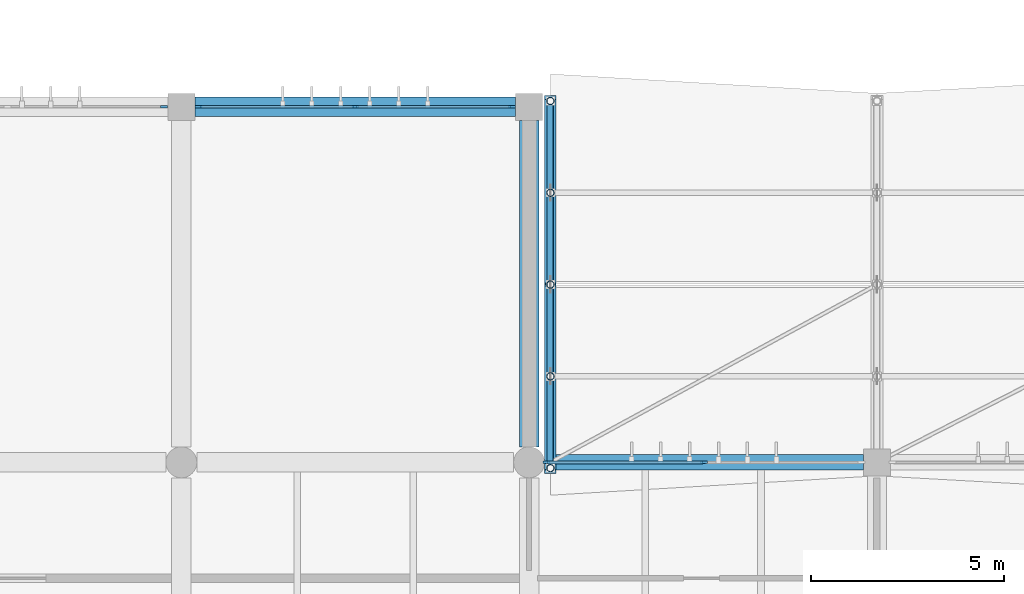
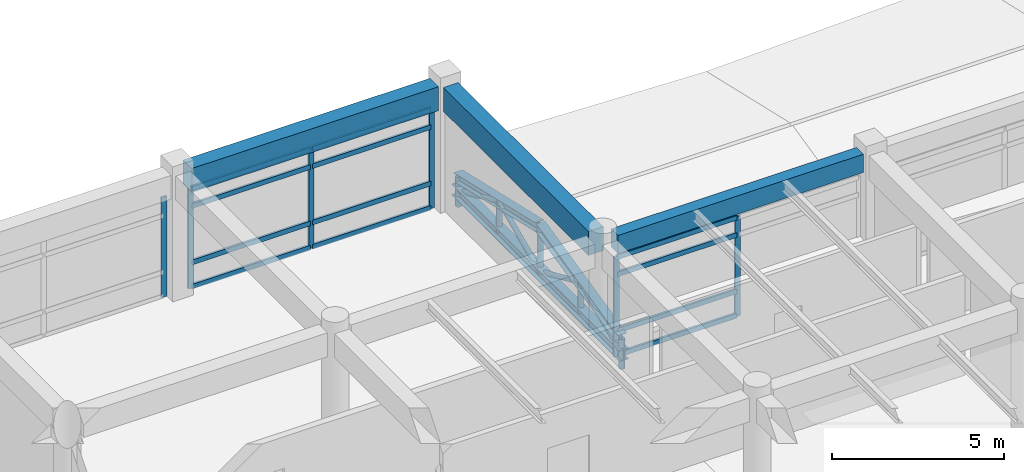
# One storey, part 16 of 90: 29 members, 4 beams, 3 elements without a shape of their own.
"""IFC4 building model written with IfcOpenShell, lengths in metres."""

import ifcopenshell
import ifcopenshell.guid

model = None  # the IFC model being written
_history = None  # IfcOwnerHistory: only IFC2X3 demands one
_inside = {}  # id of a spatial element -> (the spatial element, [elements in it])
_under = {}  # id of a project, library or spatial element -> (it, [spatial elements below it])
_declared = {}  # id of a project -> (the project, [libraries it declares])
_typed = {}  # id of a type object -> (the type object, [elements of that type])
_made_of = {}  # id of a material, layer set ... -> (it, [elements and type objects made of it])


def new_model(schema):
    """Start an empty IFC model of exactly this schema.

    Asked for "IFC4X3", IfcOpenShell would pick the latest addendum, in which some entities
    have other attributes; the version numbers below select the first issue.
    IFC2X3 requires an IfcOwnerHistory on every rooted entity: one is made here for all.
    """
    global model, _history
    if schema == "IFC4X3":
        model = ifcopenshell.file(schema_version=(4, 3, 0, 0))
    else:
        model = ifcopenshell.file(schema=schema)
    _inside.clear()
    _under.clear()
    _declared.clear()
    _typed.clear()
    _made_of.clear()
    _history = None
    if model.schema == "IFC2X3":
        org = make("IfcOrganization", Name="unknown")
        user = make(
            "IfcPersonAndOrganization",
            ThePerson=make("IfcPerson", FamilyName="unknown"),
            TheOrganization=org,
        )
        app = make(
            "IfcApplication",
            ApplicationDeveloper=org,
            Version="unknown",
            ApplicationFullName="unknown",
            ApplicationIdentifier="unknown",
        )
        _history = make(
            "IfcOwnerHistory",
            OwningUser=user,
            OwningApplication=app,
            ChangeAction="ADDED",
            CreationDate=0,
        )
    return model


def make(cls, **values):
    """One entity of the class cls with the attributes given. An attribute that is None is left unset."""
    return model.create_entity(
        cls, **{name: value for name, value in values.items() if value is not None}
    )


def rooted(cls, **values):
    """An entity with a GlobalId (a new one), such as an element, a storey or a relation."""
    return make(cls, GlobalId=ifcopenshell.guid.new(), OwnerHistory=_history, **values)


def si_unit(unit_type, name, prefix=None):
    """IfcSIUnit, for example si_unit("LENGTHUNIT", "METRE", prefix="MILLI")."""
    return make("IfcSIUnit", UnitType=unit_type, Prefix=prefix, Name=name)


def assignment(units):
    """IfcUnitAssignment: the units of a project."""
    return None if units is None else make("IfcUnitAssignment", Units=units)


def point(xyz):
    """IfcCartesianPoint."""
    return None if xyz is None else make("IfcCartesianPoint", Coordinates=xyz)


def direction(xyz):
    """IfcDirection."""
    return None if xyz is None else make("IfcDirection", DirectionRatios=xyz)


def frame(location, z_axis=None, x_axis=None):
    """IfcAxis2Placement3D, a coordinate frame: its origin and axes. An axis left out is left unset."""
    return make(
        "IfcAxis2Placement3D",
        Location=point(location),
        Axis=direction(z_axis),
        RefDirection=direction(x_axis),
    )


def frame_2d(location, x_axis=None):
    """IfcAxis2Placement2D, a coordinate frame in the plane: its origin and x axis."""
    return make(
        "IfcAxis2Placement2D", Location=point(location), RefDirection=direction(x_axis)
    )


def origin():
    """The frame at (0, 0, 0) with its axes left unset."""
    return frame((0.0, 0.0, 0.0))


def origin_2d():
    """The frame at (0, 0) in the plane with its x axis left unset."""
    return frame_2d((0.0, 0.0))


def place(relative_to, where):
    """IfcLocalPlacement: puts the frame where relative to a parent placement (None: the world)."""
    return make(
        "IfcLocalPlacement", PlacementRelTo=relative_to, RelativePlacement=where
    )


def context(
    kind, dimensions, precision=None, world=None, true_north=None, identifier=None
):
    """IfcGeometricRepresentationContext, for example the 3D "Model" context."""
    return make(
        "IfcGeometricRepresentationContext",
        ContextIdentifier=identifier,
        ContextType=kind,
        CoordinateSpaceDimension=dimensions,
        Precision=precision,
        WorldCoordinateSystem=world,
        TrueNorth=true_north,
    )


def subcontext(parent, identifier, kind, view, scale=None):
    """IfcGeometricRepresentationSubContext, for example "Body" below "Model"."""
    return make(
        "IfcGeometricRepresentationSubContext",
        ContextIdentifier=identifier,
        ContextType=kind,
        ParentContext=parent,
        TargetScale=scale,
        TargetView=view,
    )


def project(units=None, contexts=None):
    """IfcProject with its units and contexts."""
    return rooted(
        "IfcProject",
        Name="project",
        RepresentationContexts=contexts,
        UnitsInContext=assignment(units),
    )


def spatial(cls, under=None, at=None, **own):
    """A site, building, storey or space (cls), placed at a placement, below another one or the project."""
    s = rooted(cls, ObjectPlacement=at, **own)
    if under is not None:
        _under.setdefault(under.id(), (under, []))[1].append(s)
    return s


def profile(cls, at=None, kind="AREA", **sizes):
    """A parametric profile (cls). Its sizes go by their IFC names, for example OverallWidth=200.0."""
    return make(cls, ProfileType=kind, Position=at, **sizes)


def rectangle(**sizes):
    """IfcRectangleProfileDef."""
    return profile("IfcRectangleProfileDef", **sizes)


def hollow_circle(**sizes):
    """IfcCircleHollowProfileDef."""
    return profile("IfcCircleHollowProfileDef", **sizes)


def i_section(**sizes):
    """IfcIShapeProfileDef."""
    return profile("IfcIShapeProfileDef", **sizes)


def extrude(swept, where, along, depth):
    """IfcExtrudedAreaSolid: the profile swept, set in the frame where, extruded along a direction by depth."""
    return make(
        "IfcExtrudedAreaSolid",
        SweptArea=swept,
        Position=where,
        ExtrudedDirection=direction(along),
        Depth=depth,
    )


def shape(context_of_items, identifier, shape_type, items):
    """IfcShapeRepresentation: the items that make up one representation, for example the "Body"."""
    return make(
        "IfcShapeRepresentation",
        ContextOfItems=context_of_items,
        RepresentationIdentifier=identifier,
        RepresentationType=shape_type,
        Items=items,
    )


def material(Name=None, Category=None):
    """IfcMaterial."""
    return make("IfcMaterial", Name=Name, Category=Category)


def material_profile(
    of_material, cross_section, Name=None, Category=None, Priority=None
):
    """IfcMaterialProfile: a cross section and its material."""
    return make(
        "IfcMaterialProfile",
        Name=Name,
        Material=of_material,
        Profile=cross_section,
        Priority=Priority,
        Category=Category,
    )


def profile_set(profiles, Name=None, composite=None):
    """IfcMaterialProfileSet."""
    return make(
        "IfcMaterialProfileSet",
        Name=Name,
        MaterialProfiles=profiles,
        CompositeProfile=composite,
    )


def made_of(thing, what):
    """Note that an element or type object is made of a material, layer set ...; save() writes the relation."""
    if what is not None:
        _made_of.setdefault(what.id(), (what, []))[1].append(thing)
    return thing


def type_object(cls, material=None, **own):
    """A type object (cls), such as IfcWallType, which elements share."""
    return made_of(rooted(cls, **own), material)


def element(
    cls,
    number,
    at=None,
    inside=None,
    cuts=None,
    type_object=None,
    material=None,
    context=None,
    identifier="Body",
    shape_type=None,
    held_by="IfcProductDefinitionShape",
    body=None,
    shapes=None,
    **own,
):
    """One element of the class cls, such as IfcWall. Its Tag is "e" and its number.

    at: its placement. inside: the storey or other place that contains it. cuts: it is an
    opening in that element (IfcRelVoidsElement). A single representation is given by context,
    identifier, shape_type and body (its items); several are given by shapes. held_by: the class
    of the entity that holds the representations. save() writes the other relations.
    """
    e = rooted(cls, Tag="e%d" % number, ObjectPlacement=at, **own)
    if body is not None:
        shapes = [shape(context, identifier, shape_type, body)]
    if shapes is not None:
        e.Representation = make(held_by, Representations=shapes)
    if inside is not None:
        _inside.setdefault(inside.id(), (inside, []))[1].append(e)
    if cuts is not None:
        rooted(
            "IfcRelVoidsElement", RelatingBuildingElement=cuts, RelatedOpeningElement=e
        )
    if type_object is not None:
        _typed.setdefault(type_object.id(), (type_object, []))[1].append(e)
    return made_of(e, material)


def aggregate(whole, parts):
    """IfcRelAggregates: a whole, such as a stair, and the parts it consists of."""
    return rooted("IfcRelAggregates", RelatingObject=whole, RelatedObjects=parts)


def save(model, path):
    """Write the relations noted so far, then the file.

    IfcRelAggregates (storeys below a building ...), IfcRelContainedInSpatialStructure (elements
    in a storey), IfcRelDefinesByType, IfcRelAssociatesMaterial and IfcRelDeclares: one each for
    every whole, place, type object, material and project.
    """
    for whole, parts in _under.values():
        aggregate(whole, parts)
    for where, things in _inside.values():
        rooted(
            "IfcRelContainedInSpatialStructure",
            RelatedElements=things,
            RelatingStructure=where,
        )
    for kind, things in _typed.values():
        rooted("IfcRelDefinesByType", RelatedObjects=things, RelatingType=kind)
    for what, things in _made_of.values():
        rooted("IfcRelAssociatesMaterial", RelatedObjects=things, RelatingMaterial=what)
    for by, libraries in _declared.values():
        rooted("IfcRelDeclares", RelatingContext=by, RelatedDefinitions=libraries)
    model.write(path)


model = new_model("IFC4")

# Units and contexts
model_context = context("Model", 3, precision=1e-05, world=origin(), true_north=direction((0.0, 1.0)))
body_context = subcontext(model_context, "Body", "Model", "MODEL_VIEW")
ifc_project = project(units=[si_unit("LENGTHUNIT", "METRE"), si_unit("AREAUNIT", "SQUARE_METRE"), si_unit("VOLUMEUNIT", "CUBIC_METRE"), si_unit("PLANEANGLEUNIT", "RADIAN"), si_unit("MASSUNIT", "GRAM", prefix="KILO")], contexts=[model_context])

# Site, building, storey
site_placement = place(None, origin())
site = spatial("IfcSite", under=ifc_project, at=site_placement, CompositionType="ELEMENT")
building_placement = place(site_placement, origin())
building = spatial("IfcBuilding", under=site, at=building_placement, Name="Bozkorgan Art Gallery", CompositionType="ELEMENT")
storey_placement = place(building_placement, frame((0.0, 0.0, 5.39990234375)))
storey = spatial("IfcBuildingStorey", under=building, at=storey_placement, Name="L01", CompositionType="ELEMENT", Elevation=5.39990234375)

# Beams
ifc_material_1 = material(Name="Concrete C35/45", Category="concrete")
ifc_material_profile_1 = material_profile(ifc_material_1, rectangle(XDim=0.5, YDim=0.85009765625, at=origin_2d()), Name="RC 500x850")
ifc_profile_set_1 = profile_set([ifc_material_profile_1], Name="Concrete C35/45")
beam_type_1 = type_object("IfcBeamType", Name="BEAM-BM-01", PredefinedType="BEAM", material=ifc_profile_set_1)
beam_1_placement = place(storey_placement, frame((20.35009765625, 29.199951171875, 4.01513671875), z_axis=(1.0, 0.0, 0.0), x_axis=(0.0, 1.0, 0.0)))
element("IfcBeam", 1, at=beam_1_placement, inside=storey, type_object=beam_type_1, Name="V1 L01 beam X (20-29, 29.2)", PredefinedType="BEAM", context=body_context, shape_type="SweptSolid", body=[
    extrude(rectangle(XDim=0.5, YDim=0.85009765625, at=origin_2d()), origin(), (0.0, 0.0, 1.0), 8.2998046875),
])
beam_2_placement = place(storey_placement, frame((29.0, 20.39990234375, 4.01513671875), z_axis=(0.0, 1.0, 0.0), x_axis=(-1.0, 0.0, 0.0)))
element("IfcBeam", 2, at=beam_2_placement, inside=storey, type_object=beam_type_1, Name="V1 L01 beam Y (29, 20.0-29.2)", PredefinedType="BEAM", context=body_context, shape_type="SweptSolid", body=[
    extrude(rectangle(XDim=0.5, YDim=0.85009765625, at=origin_2d()), origin(), (0.0, 0.0, 1.0), 8.4501953125),
])
ifc_material_profile_2 = material_profile(ifc_material_1, rectangle(XDim=0.39990234375, YDim=0.64990234375, at=origin_2d()), Name="RC 400x650")
ifc_profile_set_2 = profile_set([ifc_material_profile_2], Name="Concrete C35/45")
beam_type_2 = type_object("IfcBeamType", Name="BEAM-SP-69", PredefinedType="SPANDREL", material=ifc_profile_set_2)
beam_3_placement = place(storey_placement, frame((29.39990234375, 20.0, 4.114990234375), z_axis=(1.0, 0.0, 0.0), x_axis=(0.0, 1.0, 0.0)))
element("IfcBeam", 3, at=beam_3_placement, inside=storey, type_object=beam_type_2, Name="V1 L01 spandrel X (29-38, 20.0)", PredefinedType="SPANDREL", context=body_context, shape_type="SweptSolid", body=[
    extrude(rectangle(XDim=0.39990234375, YDim=0.64990234375, at=origin_2d()), origin(), (0.0, 0.0, 1.0), 8.25),
])
ifc_material_2 = material(Name="Steel S355J2", Category="steel")
ifc_material_profile_3 = material_profile(ifc_material_2, i_section(OverallWidth=0.300048828125, OverallDepth=0.39990234375, WebThickness=0.013427734375, FlangeThickness=0.02392578125, FilletRadius=0.027099609375, at=origin_2d()), Name="HEB 400")
ifc_profile_set_3 = profile_set([ifc_material_profile_3], Name="Steel S355J2")
beam_type_3 = type_object("IfcBeamType", Name="BEAM-TB-49", PredefinedType="BEAM", material=ifc_profile_set_3)
beam_4_placement = place(storey_placement, frame((29.550048828125, 19.7099609375, 0.2001953125), z_axis=(0.0, 1.0, 0.0), x_axis=(-1.0, 0.0, 0.0)))
element("IfcBeam", 4, at=beam_4_placement, inside=storey, type_object=beam_type_3, Name="ROOF-V1-STEP1 roof truss 1 bottom chord", PredefinedType="BEAM", context=body_context, shape_type="SweptSolid", body=[
    extrude(i_section(OverallWidth=0.300048828125, OverallDepth=0.39990234375, WebThickness=0.013427734375, FlangeThickness=0.02392578125, FilletRadius=0.027099609375, at=origin_2d()), origin(), (0.0, 0.0, 1.0), 9.780029296875),
])

# Curtain wall, members
ifc_material_3 = material(Name="Anodised Bronze Aluminium", Category="aluminium")
curtain_wall_type_1 = type_object("IfcCurtainWallType", Name="CW-CW-40", PredefinedType="NOTDEFINED", material=ifc_material_3)
curtain_wall_1_placement = place(storey_placement, origin())
curtain_wall_1 = element("IfcCurtainWall", 5, at=curtain_wall_1_placement, inside=storey, type_object=curtain_wall_type_1, Name="L01 unitised curtain wall CW-V1-L01-1N-05", PredefinedType="NOTDEFINED")
ifc_material_profile_4 = material_profile(ifc_material_3, rectangle(XDim=0.06494140625, YDim=0.179931640625, at=origin_2d()), Name="ALU MULLION 65x180")
ifc_profile_set_4 = profile_set([ifc_material_profile_4], Name="Anodised Bronze Aluminium")
member_type_1 = type_object("IfcMemberType", Name="CWM-01", PredefinedType="MULLION", material=ifc_profile_set_4)
member_1_placement = place(storey_placement, frame((29.447509765625, 20.0, 0.02001953125), z_axis=(0.0, 0.0, 1.0), x_axis=(0.0, 1.0, 0.0)))
member_1 = element("IfcMember", 6, at=member_1_placement, type_object=member_type_1, Name="CW-40 mullion 1", PredefinedType="MULLION", context=body_context, shape_type="SweptSolid", body=[
    extrude(rectangle(XDim=0.06494140625, YDim=0.179931640625, at=origin_2d()), origin(), (0.0, 0.0, 1.0), 3.55517578125),
])
member_2_placement = place(storey_placement, frame((33.52490234375, 20.0, 0.02001953125), z_axis=(0.0, 0.0, 1.0), x_axis=(0.0, 1.0, 0.0)))
member_2 = element("IfcMember", 7, at=member_2_placement, type_object=member_type_1, Name="CW-40 mullion 2", PredefinedType="MULLION", context=body_context, shape_type="SweptSolid", body=[
    extrude(rectangle(XDim=0.06494140625, YDim=0.179931640625, at=origin_2d()), origin(), (0.0, 0.0, 1.0), 3.55517578125),
])

# Curtain wall, member
curtain_wall_type_2 = type_object("IfcCurtainWallType", Name="CW-CW-94", PredefinedType="NOTDEFINED", material=ifc_material_3)
curtain_wall_2_placement = place(storey_placement, origin())
curtain_wall_2 = element("IfcCurtainWall", 8, at=curtain_wall_2_placement, inside=storey, type_object=curtain_wall_type_2, Name="L01 unitised curtain wall CW-V1-L01-2N-02", PredefinedType="NOTDEFINED")
member_3_placement = place(storey_placement, frame((19.552490234375, 29.199951171875, 0.02001953125), z_axis=(0.0, 0.0, 1.0), x_axis=(0.0, 1.0, 0.0)))
member_3 = element("IfcMember", 9, at=member_3_placement, type_object=member_type_1, Name="CW-94 mullion 3", PredefinedType="MULLION", context=body_context, shape_type="SweptSolid", body=[
    extrude(rectangle(XDim=0.06494140625, YDim=0.179931640625, at=origin_2d()), origin(), (0.0, 0.0, 1.0), 3.55517578125),
])
aggregate(curtain_wall_2, [member_3])

# Curtain wall, members
curtain_wall_3_placement = place(storey_placement, origin())
curtain_wall_3 = element("IfcCurtainWall", 10, at=curtain_wall_3_placement, inside=storey, type_object=curtain_wall_type_2, Name="L01 unitised curtain wall CW-V1-L01-2N-03", PredefinedType="NOTDEFINED")
member_4_placement = place(storey_placement, frame((20.447509765625, 29.199951171875, 0.02001953125), z_axis=(0.0, 0.0, 1.0), x_axis=(0.0, 1.0, 0.0)))
member_4 = element("IfcMember", 11, at=member_4_placement, type_object=member_type_1, Name="CW-94 mullion 1", PredefinedType="MULLION", context=body_context, shape_type="SweptSolid", body=[
    extrude(rectangle(XDim=0.06494140625, YDim=0.179931640625, at=origin_2d()), origin(), (0.0, 0.0, 1.0), 3.55517578125),
])
member_5_placement = place(storey_placement, frame((24.5, 29.199951171875, 0.02001953125), z_axis=(0.0, 0.0, 1.0), x_axis=(0.0, 1.0, 0.0)))
member_5 = element("IfcMember", 12, at=member_5_placement, type_object=member_type_1, Name="CW-94 mullion 2", PredefinedType="MULLION", context=body_context, shape_type="SweptSolid", body=[
    extrude(rectangle(XDim=0.06494140625, YDim=0.179931640625, at=origin_2d()), origin(), (0.0, 0.0, 1.0), 3.55517578125),
])
member_6_placement = place(storey_placement, frame((28.552490234375, 29.199951171875, 0.02001953125), z_axis=(0.0, 0.0, 1.0), x_axis=(0.0, 1.0, 0.0)))
member_6 = element("IfcMember", 13, at=member_6_placement, type_object=member_type_1, Name="CW-94 mullion 3", PredefinedType="MULLION", context=body_context, shape_type="SweptSolid", body=[
    extrude(rectangle(XDim=0.06494140625, YDim=0.179931640625, at=origin_2d()), origin(), (0.0, 0.0, 1.0), 3.55517578125),
])

# Member
ifc_material_profile_5 = material_profile(ifc_material_3, rectangle(XDim=0.074951171875, YDim=0.169921875, at=origin_2d()), Name="ALU TRANSOM 75x170")
ifc_profile_set_5 = profile_set([ifc_material_profile_5], Name="Anodised Bronze Aluminium")
member_type_2 = type_object("IfcMemberType", Name="CWT-02", PredefinedType="USERDEFINED", material=ifc_profile_set_5)
member_7_placement = place(storey_placement, frame((29.47998046875, 20.0, 0.0576171875), z_axis=(1.0, 0.0, 0.0), x_axis=(0.0, 1.0, 0.0)))
member_7 = element("IfcMember", 14, at=member_7_placement, type_object=member_type_2, Name="CW-40 transom 1.1", ObjectType="TRANSOM", PredefinedType="USERDEFINED", context=body_context, shape_type="SweptSolid", body=[
    extrude(rectangle(XDim=0.074951171875, YDim=0.169921875, at=origin_2d()), origin(), (0.0, 0.0, 1.0), 4.012451171875),
])

member_8_placement = place(storey_placement, frame((29.47998046875, 20.0, 0.920166015625), z_axis=(1.0, 0.0, 0.0), x_axis=(0.0, 1.0, 0.0)))
member_8 = element("IfcMember", 15, at=member_8_placement, type_object=member_type_2, Name="CW-40 transom 1.2", ObjectType="TRANSOM", PredefinedType="USERDEFINED", context=body_context, shape_type="SweptSolid", body=[
    extrude(rectangle(XDim=0.074951171875, YDim=0.169921875, at=origin_2d()), origin(), (0.0, 0.0, 1.0), 4.012451171875),
])

member_9_placement = place(storey_placement, frame((29.47998046875, 20.0, 2.925048828125), z_axis=(1.0, 0.0, 0.0), x_axis=(0.0, 1.0, 0.0)))
member_9 = element("IfcMember", 16, at=member_9_placement, type_object=member_type_2, Name="CW-40 transom 1.3", ObjectType="TRANSOM", PredefinedType="USERDEFINED", context=body_context, shape_type="SweptSolid", body=[
    extrude(rectangle(XDim=0.074951171875, YDim=0.169921875, at=origin_2d()), origin(), (0.0, 0.0, 1.0), 4.012451171875),
])

member_10_placement = place(storey_placement, frame((29.47998046875, 20.0, 3.53759765625), z_axis=(1.0, 0.0, 0.0), x_axis=(0.0, 1.0, 0.0)))
member_10 = element("IfcMember", 17, at=member_10_placement, type_object=member_type_2, Name="CW-40 transom 1.4", ObjectType="TRANSOM", PredefinedType="USERDEFINED", context=body_context, shape_type="SweptSolid", body=[
    extrude(rectangle(XDim=0.074951171875, YDim=0.169921875, at=origin_2d()), origin(), (0.0, 0.0, 1.0), 4.012451171875),
])

aggregate(curtain_wall_1, [member_1, member_2, member_7, member_8, member_9, member_10])

member_11_placement = place(storey_placement, frame((20.47998046875, 29.199951171875, 0.0576171875), z_axis=(1.0, 0.0, 0.0), x_axis=(0.0, 1.0, 0.0)))
member_11 = element("IfcMember", 18, at=member_11_placement, type_object=member_type_2, Name="CW-94 transom 1.1", ObjectType="TRANSOM", PredefinedType="USERDEFINED", context=body_context, shape_type="SweptSolid", body=[
    extrude(rectangle(XDim=0.074951171875, YDim=0.169921875, at=origin_2d()), origin(), (0.0, 0.0, 1.0), 3.987548828125),
])

member_12_placement = place(storey_placement, frame((20.47998046875, 29.199951171875, 0.920166015625), z_axis=(1.0, 0.0, 0.0), x_axis=(0.0, 1.0, 0.0)))
member_12 = element("IfcMember", 19, at=member_12_placement, type_object=member_type_2, Name="CW-94 transom 1.2", ObjectType="TRANSOM", PredefinedType="USERDEFINED", context=body_context, shape_type="SweptSolid", body=[
    extrude(rectangle(XDim=0.074951171875, YDim=0.169921875, at=origin_2d()), origin(), (0.0, 0.0, 1.0), 3.987548828125),
])

member_13_placement = place(storey_placement, frame((20.47998046875, 29.199951171875, 2.925048828125), z_axis=(1.0, 0.0, 0.0), x_axis=(0.0, 1.0, 0.0)))
member_13 = element("IfcMember", 20, at=member_13_placement, type_object=member_type_2, Name="CW-94 transom 1.3", ObjectType="TRANSOM", PredefinedType="USERDEFINED", context=body_context, shape_type="SweptSolid", body=[
    extrude(rectangle(XDim=0.074951171875, YDim=0.169921875, at=origin_2d()), origin(), (0.0, 0.0, 1.0), 3.987548828125),
])

member_14_placement = place(storey_placement, frame((20.47998046875, 29.199951171875, 3.53759765625), z_axis=(1.0, 0.0, 0.0), x_axis=(0.0, 1.0, 0.0)))
member_14 = element("IfcMember", 21, at=member_14_placement, type_object=member_type_2, Name="CW-94 transom 1.4", ObjectType="TRANSOM", PredefinedType="USERDEFINED", context=body_context, shape_type="SweptSolid", body=[
    extrude(rectangle(XDim=0.074951171875, YDim=0.169921875, at=origin_2d()), origin(), (0.0, 0.0, 1.0), 3.987548828125),
])

member_15_placement = place(storey_placement, frame((24.532470703125, 29.199951171875, 0.0576171875), z_axis=(1.0, 0.0, 0.0), x_axis=(0.0, 1.0, 0.0)))
member_15 = element("IfcMember", 22, at=member_15_placement, type_object=member_type_2, Name="CW-94 transom 2.1", ObjectType="TRANSOM", PredefinedType="USERDEFINED", context=body_context, shape_type="SweptSolid", body=[
    extrude(rectangle(XDim=0.074951171875, YDim=0.169921875, at=origin_2d()), origin(), (0.0, 0.0, 1.0), 3.987548828125),
])

member_16_placement = place(storey_placement, frame((24.532470703125, 29.199951171875, 0.920166015625), z_axis=(1.0, 0.0, 0.0), x_axis=(0.0, 1.0, 0.0)))
member_16 = element("IfcMember", 23, at=member_16_placement, type_object=member_type_2, Name="CW-94 transom 2.2", ObjectType="TRANSOM", PredefinedType="USERDEFINED", context=body_context, shape_type="SweptSolid", body=[
    extrude(rectangle(XDim=0.074951171875, YDim=0.169921875, at=origin_2d()), origin(), (0.0, 0.0, 1.0), 3.987548828125),
])

member_17_placement = place(storey_placement, frame((24.532470703125, 29.199951171875, 2.925048828125), z_axis=(1.0, 0.0, 0.0), x_axis=(0.0, 1.0, 0.0)))
member_17 = element("IfcMember", 24, at=member_17_placement, type_object=member_type_2, Name="CW-94 transom 2.3", ObjectType="TRANSOM", PredefinedType="USERDEFINED", context=body_context, shape_type="SweptSolid", body=[
    extrude(rectangle(XDim=0.074951171875, YDim=0.169921875, at=origin_2d()), origin(), (0.0, 0.0, 1.0), 3.987548828125),
])

member_18_placement = place(storey_placement, frame((24.532470703125, 29.199951171875, 3.53759765625), z_axis=(1.0, 0.0, 0.0), x_axis=(0.0, 1.0, 0.0)))
member_18 = element("IfcMember", 25, at=member_18_placement, type_object=member_type_2, Name="CW-94 transom 2.4", ObjectType="TRANSOM", PredefinedType="USERDEFINED", context=body_context, shape_type="SweptSolid", body=[
    extrude(rectangle(XDim=0.074951171875, YDim=0.169921875, at=origin_2d()), origin(), (0.0, 0.0, 1.0), 3.987548828125),
])

aggregate(curtain_wall_3, [member_4, member_5, member_6, member_11, member_12, member_13, member_14, member_15, member_16, member_17, member_18])

# Members
ifc_material_profile_6 = material_profile(ifc_material_2, i_section(OverallWidth=0.300048828125, OverallDepth=0.31005859375, WebThickness=0.009033203125, FlangeThickness=0.015380859375, FilletRadius=0.027099609375, at=origin_2d()), Name="HEA 320")
ifc_profile_set_6 = profile_set([ifc_material_profile_6], Name="Steel S355J2")
member_type_3 = type_object("IfcMemberType", Name="MEMBER-TC-13", PredefinedType="CHORD", material=ifc_profile_set_6)
for number, where, z_axis, x_axis, name in (
    (26, (29.550048828125, 19.85009765625, 0.71337890625), (0.0, 0.974367556786, 0.224961917408), (-1.0, 0.0, 0.0), "ROOF-V1-STEP1 roof truss 1 south top chord"),
    (27, (29.550048828125, 24.60009765625, 1.81005859375), (0.0, 0.974367556786, -0.224961917408), (-1.0, 0.0, 0.0), "ROOF-V1-STEP1 roof truss 1 north top chord"),
):
    element("IfcMember", number, at=place(storey_placement, frame(where, z_axis=z_axis, x_axis=x_axis)), inside=storey, type_object=member_type_3, Name=name, PredefinedType="CHORD", context=body_context, shape_type="SweptSolid", body=[
        extrude(i_section(OverallWidth=0.300048828125, OverallDepth=0.31005859375, WebThickness=0.009033203125, FlangeThickness=0.015380859375, FilletRadius=0.027099609375, at=origin_2d()), origin(), (0.0, 0.0, 1.0), 4.875),
    ])
ifc_material_profile_7 = material_profile(ifc_material_2, hollow_circle(Radius=0.096923828125, WallThickness=0.008056640625, at=origin_2d()), Name="CHS 193.7x8")
ifc_profile_set_7 = profile_set([ifc_material_profile_7], Name="Steel S355J2")
member_type_4 = type_object("IfcMemberType", Name="MEMBER-TP-46", PredefinedType="POST", material=ifc_profile_set_7)
member_19_placement = place(storey_placement, frame((29.550048828125, 19.85009765625, -0.33984375), z_axis=(0.0, 0.0, 1.0), x_axis=(1.0, 0.0, 0.0)))
element("IfcMember", 28, at=member_19_placement, inside=storey, type_object=member_type_4, Name="ROOF-V1-STEP1 roof truss 1 post 0", PredefinedType="POST", context=body_context, shape_type="SweptSolid", body=[
    extrude(hollow_circle(Radius=0.096923828125, WallThickness=0.008056640625, at=origin_2d()), origin(), (0.0, 0.0, 1.0), 1.05322265625),
])
member_20_placement = place(storey_placement, frame((29.550048828125, 22.22509765625, 0.2001953125), z_axis=(0.0, 0.0, 1.0), x_axis=(1.0, 0.0, 0.0)))
element("IfcMember", 29, at=member_20_placement, inside=storey, type_object=member_type_4, Name="ROOF-V1-STEP1 roof truss 1 post 1", PredefinedType="POST", context=body_context, shape_type="SweptSolid", body=[
    extrude(hollow_circle(Radius=0.096923828125, WallThickness=0.008056640625, at=origin_2d()), origin(), (0.0, 0.0, 1.0), 1.0615234375),
])
member_21_placement = place(storey_placement, frame((29.550048828125, 24.60009765625, 0.2001953125), z_axis=(0.0, 0.0, 1.0), x_axis=(1.0, 0.0, 0.0)))
element("IfcMember", 30, at=member_21_placement, inside=storey, type_object=member_type_4, Name="ROOF-V1-STEP1 roof truss 1 post 2", PredefinedType="POST", context=body_context, shape_type="SweptSolid", body=[
    extrude(hollow_circle(Radius=0.096923828125, WallThickness=0.008056640625, at=origin_2d()), origin(), (0.0, 0.0, 1.0), 1.60986328125),
])
member_22_placement = place(storey_placement, frame((29.550048828125, 26.97509765625, 0.2001953125), z_axis=(0.0, 0.0, 1.0), x_axis=(1.0, 0.0, 0.0)))
element("IfcMember", 31, at=member_22_placement, inside=storey, type_object=member_type_4, Name="ROOF-V1-STEP1 roof truss 1 post 3", PredefinedType="POST", context=body_context, shape_type="SweptSolid", body=[
    extrude(hollow_circle(Radius=0.096923828125, WallThickness=0.008056640625, at=origin_2d()), origin(), (0.0, 0.0, 1.0), 1.0615234375),
])
member_23_placement = place(storey_placement, frame((29.550048828125, 29.35009765625, -0.33984375), z_axis=(0.0, 0.0, 1.0), x_axis=(1.0, 0.0, 0.0)))
element("IfcMember", 32, at=member_23_placement, inside=storey, type_object=member_type_4, Name="ROOF-V1-STEP1 roof truss 1 post 4", PredefinedType="POST", context=body_context, shape_type="SweptSolid", body=[
    extrude(hollow_circle(Radius=0.096923828125, WallThickness=0.008056640625, at=origin_2d()), origin(), (0.0, 0.0, 1.0), 1.05322265625),
])
ifc_material_profile_8 = material_profile(ifc_material_2, hollow_circle(Radius=0.084228515625, WallThickness=0.008056640625, at=origin_2d()), Name="CHS 168.3x8")
ifc_profile_set_8 = profile_set([ifc_material_profile_8], Name="Steel S355J2")
member_type_5 = type_object("IfcMemberType", Name="MEMBER-TW-40", PredefinedType="BRACE", material=ifc_profile_set_8)
for number, where, z_axis, x_axis, name in (
    (33, (29.550048828125, 19.85009765625, 0.2001953125), (0.0, 0.912958131658, 0.408053243878), (-1.0, 0.0, 0.0), "ROOF-V1-STEP1 roof truss 1 diagonal 1"),
    (34, (29.550048828125, 22.22509765625, 1.26171875), (0.0, 0.912958131658, -0.408053243878), (-1.0, 0.0, 0.0), "ROOF-V1-STEP1 roof truss 1 diagonal 2"),
    (35, (29.550048828125, 24.60009765625, 0.2001953125), (0.0, 0.912958131658, 0.408053243878), (-1.0, 0.0, 0.0), "ROOF-V1-STEP1 roof truss 1 diagonal 3"),
    (36, (29.550048828125, 26.97509765625, 1.26171875), (0.0, 0.912958131658, -0.408053243878), (-1.0, 0.0, 0.0), "ROOF-V1-STEP1 roof truss 1 diagonal 4"),
):
    element("IfcMember", number, at=place(storey_placement, frame(where, z_axis=z_axis, x_axis=x_axis)), inside=storey, type_object=member_type_5, Name=name, PredefinedType="BRACE", context=body_context, shape_type="SweptSolid", body=[
        extrude(hollow_circle(Radius=0.084228515625, WallThickness=0.008056640625, at=origin_2d()), origin(), (0.0, 0.0, 1.0), 2.601318359375),
    ])

save(model, "model.ifc")
